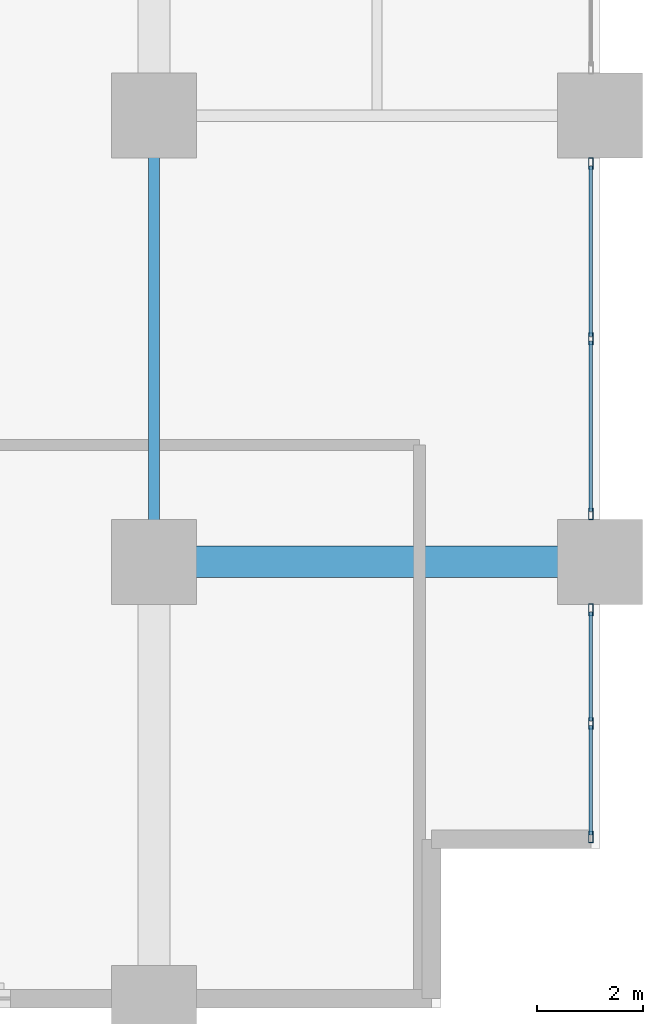
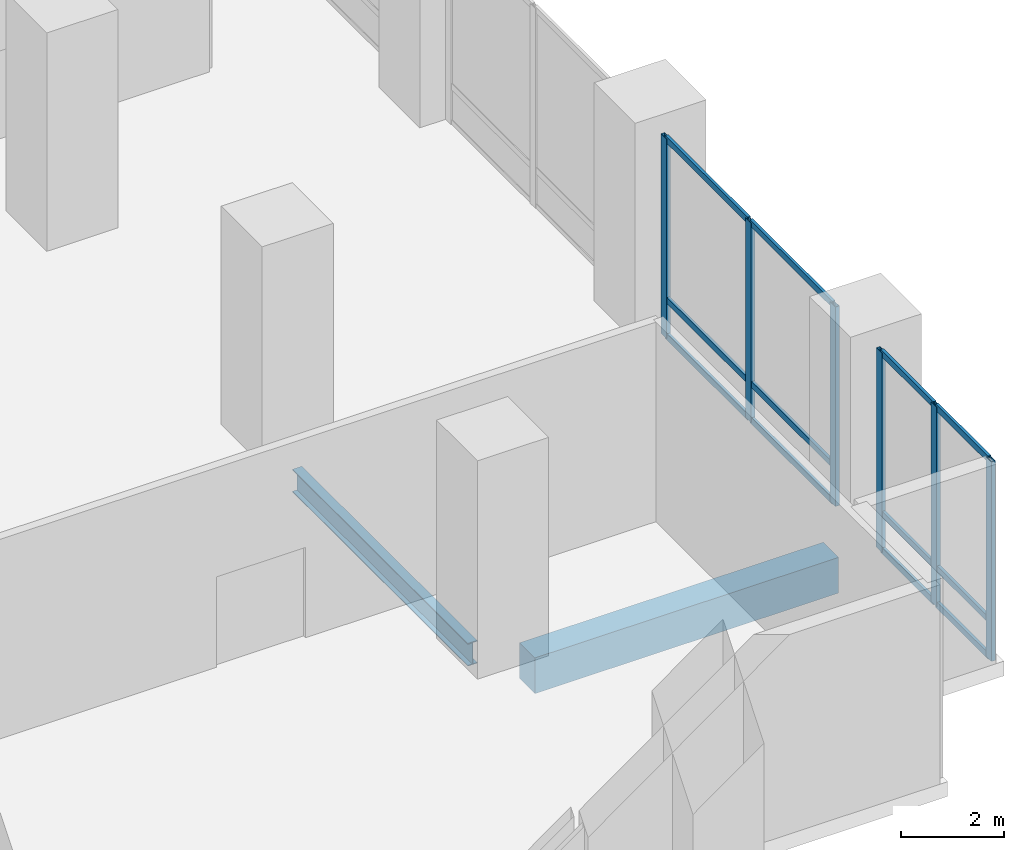
# One storey, part 3 of 23: 18 members, 2 beams, 2 elements without a shape of their own.
"""IFC4 building model written with IfcOpenShell, lengths in metres."""

from ifc_helpers import new_model, si_unit, direction, frame, origin, origin_2d, place, context, subcontext, project, spatial, rectangle, hollow_rectangle, i_section, extrude, material, layer, layer_set, material_profile, profile_set, type_object, element, aggregate, save


model = new_model("IFC4")

# Units and contexts
model_context = context("Model", 3, precision=1e-05, world=origin(), true_north=direction((0.0, 1.0)))
body_context = subcontext(model_context, "Body", "Model", "MODEL_VIEW")
ifc_project = project(units=[si_unit("LENGTHUNIT", "METRE"), si_unit("AREAUNIT", "SQUARE_METRE"), si_unit("VOLUMEUNIT", "CUBIC_METRE"), si_unit("PLANEANGLEUNIT", "RADIAN"), si_unit("MASSUNIT", "GRAM", prefix="KILO")], contexts=[model_context])

# Site, building, storey
site_placement = place(None, origin())
site = spatial("IfcSite", under=ifc_project, at=site_placement, CompositionType="ELEMENT")
building_placement = place(site_placement, origin())
building = spatial("IfcBuilding", under=site, at=building_placement, Name="Koriwani Terraces Tower", CompositionType="ELEMENT")
storey_placement = place(building_placement, frame((0.0, 0.0, 20.800048828125)))
storey = spatial("IfcBuildingStorey", under=building, at=storey_placement, Name="L04", CompositionType="ELEMENT", Elevation=20.800048828125)

# Beam
ifc_material_1 = material(Name="Concrete C60/75", Category="concrete")
ifc_material_profile_1 = material_profile(ifc_material_1, rectangle(XDim=0.60009765625, YDim=0.85009765625, at=origin_2d()), Name="Concrete C60/75", Category="LoadBearing")
ifc_profile_set_1 = profile_set([ifc_material_profile_1], Name="Concrete C60/75")
beam_type_1 = type_object("IfcBeamType", Name="BEAM_RC_GRID_600X850", PredefinedType="BEAM", material=ifc_profile_set_1)
beam_1_placement = place(storey_placement, frame((84.780029296875, 8.39990234375, -0.775146484375), z_axis=(1.0, 0.0, 0.0), x_axis=(0.0, 1.0, 0.0)))
element("IfcBeam", 1, at=beam_1_placement, inside=storey, type_object=beam_type_1, Name="L04 Grid Beam B (84.0-92.4m)", PredefinedType="BEAM", context=body_context, shape_type="SweptSolid", body=[
    extrude(rectangle(XDim=0.60009765625, YDim=0.85009765625, at=origin_2d()), origin(), (0.0, 0.0, 1.0), 6.840087890625),
])

# Curtain wall, members
ifc_material_2 = material(Name="Anodised Bronze Aluminium", Category="aluminium")
ifc_layer = layer(ifc_material_2, 0.199951171875, Name="Anodised Bronze Aluminium")
ifc_layer_set = layer_set([ifc_layer], Name="Anodised Bronze Aluminium")
curtain_wall_type = type_object("IfcCurtainWallType", Name="CW_PODIUM_GALLERIA", PredefinedType="NOTDEFINED", material=ifc_layer_set)
curtain_wall_1_placement = place(storey_placement, origin())
curtain_wall_1 = element("IfcCurtainWall", 2, at=curtain_wall_1_placement, inside=storey, type_object=curtain_wall_type, Name="L04 Unitised Curtain Wall (E_TIP) Bay 4", PredefinedType="NOTDEFINED")
ifc_material_profile_2 = material_profile(ifc_material_2, hollow_rectangle(XDim=0.0849609375, YDim=0.219970703125, WallThickness=0.008056640625, at=origin_2d()), Name="Anodised Bronze Aluminium", Category="LoadBearing")
ifc_profile_set_2 = profile_set([ifc_material_profile_2], Name="Anodised Bronze Aluminium")
member_type_1 = type_object("IfcMemberType", Name="CW_MULLION_220X85", PredefinedType="MULLION", material=ifc_profile_set_2)
member_1_placement = place(storey_placement, frame((92.22509765625, 15.8974609375, 0.0), z_axis=(0.0, 0.0, 1.0), x_axis=(1.0, 0.0, 0.0)))
member_1 = element("IfcMember", 3, at=member_1_placement, type_object=member_type_1, Name="CW-POD mullion 1", PredefinedType="MULLION", context=body_context, shape_type="SweptSolid", body=[
    extrude(hollow_rectangle(XDim=0.0849609375, YDim=0.219970703125, WallThickness=0.008056640625, at=origin_2d()), origin(), (0.0, 0.0, 1.0), 4.75),
])
member_2_placement = place(storey_placement, frame((92.22509765625, 12.60009765625, 0.0), z_axis=(0.0, 0.0, 1.0), x_axis=(1.0, 0.0, 0.0)))
member_2 = element("IfcMember", 4, at=member_2_placement, type_object=member_type_1, Name="CW-POD mullion 2", PredefinedType="MULLION", context=body_context, shape_type="SweptSolid", body=[
    extrude(hollow_rectangle(XDim=0.0849609375, YDim=0.219970703125, WallThickness=0.008056640625, at=origin_2d()), origin(), (0.0, 0.0, 1.0), 4.75),
])
member_3_placement = place(storey_placement, frame((92.22509765625, 9.302490234375, 0.0), z_axis=(0.0, 0.0, 1.0), x_axis=(1.0, 0.0, 0.0)))
member_3 = element("IfcMember", 5, at=member_3_placement, type_object=member_type_1, Name="CW-POD mullion 3", PredefinedType="MULLION", context=body_context, shape_type="SweptSolid", body=[
    extrude(hollow_rectangle(XDim=0.0849609375, YDim=0.219970703125, WallThickness=0.008056640625, at=origin_2d()), origin(), (0.0, 0.0, 1.0), 4.75),
])

curtain_wall_2_placement = place(storey_placement, origin())
curtain_wall_2 = element("IfcCurtainWall", 6, at=curtain_wall_2_placement, inside=storey, type_object=curtain_wall_type, Name="L04 Unitised Curtain Wall (E_TIP) Bay 5", PredefinedType="NOTDEFINED")
member_4_placement = place(storey_placement, frame((92.22509765625, 7.49755859375, 0.0), z_axis=(0.0, 0.0, 1.0), x_axis=(1.0, 0.0, 0.0)))
member_4 = element("IfcMember", 7, at=member_4_placement, type_object=member_type_1, Name="CW-POD mullion 1", PredefinedType="MULLION", context=body_context, shape_type="SweptSolid", body=[
    extrude(hollow_rectangle(XDim=0.0849609375, YDim=0.219970703125, WallThickness=0.008056640625, at=origin_2d()), origin(), (0.0, 0.0, 1.0), 4.75),
])
member_5_placement = place(storey_placement, frame((92.22509765625, 5.357421875, 0.0), z_axis=(0.0, 0.0, 1.0), x_axis=(1.0, 0.0, 0.0)))
member_5 = element("IfcMember", 8, at=member_5_placement, type_object=member_type_1, Name="CW-POD mullion 2", PredefinedType="MULLION", context=body_context, shape_type="SweptSolid", body=[
    extrude(hollow_rectangle(XDim=0.0849609375, YDim=0.219970703125, WallThickness=0.008056640625, at=origin_2d()), origin(), (0.0, 0.0, 1.0), 4.75),
])
member_6_placement = place(storey_placement, frame((92.22509765625, 3.217529296875, 0.0), z_axis=(0.0, 0.0, 1.0), x_axis=(1.0, 0.0, 0.0)))
member_6 = element("IfcMember", 9, at=member_6_placement, type_object=member_type_1, Name="CW-POD mullion 3", PredefinedType="MULLION", context=body_context, shape_type="SweptSolid", body=[
    extrude(hollow_rectangle(XDim=0.0849609375, YDim=0.219970703125, WallThickness=0.008056640625, at=origin_2d()), origin(), (0.0, 0.0, 1.0), 4.75),
])

# Member
ifc_material_profile_3 = material_profile(ifc_material_2, hollow_rectangle(XDim=0.06494140625, YDim=0.14990234375, WallThickness=0.0048828125, at=origin_2d()), Name="Anodised Bronze Aluminium", Category="LoadBearing")
ifc_profile_set_3 = profile_set([ifc_material_profile_3], Name="Anodised Bronze Aluminium")
member_type_2 = type_object("IfcMemberType", Name="CW_TRANSOM_150X65", PredefinedType="USERDEFINED", material=ifc_profile_set_3)
member_7_placement = place(storey_placement, frame((92.22509765625, 15.85498046875, 0.032470703125), z_axis=(0.0, -1.0, 0.0), x_axis=(1.0, 0.0, 0.0)))
member_7 = element("IfcMember", 10, at=member_7_placement, type_object=member_type_2, Name="CW-POD transom 1.1", ObjectType="TRANSOM", PredefinedType="USERDEFINED", context=body_context, shape_type="SweptSolid", body=[
    extrude(hollow_rectangle(XDim=0.06494140625, YDim=0.14990234375, WallThickness=0.0048828125, at=origin_2d()), origin(), (0.0, 0.0, 1.0), 3.21240234375),
])

member_8_placement = place(storey_placement, frame((92.22509765625, 15.85498046875, 0.89990234375), z_axis=(0.0, -1.0, 0.0), x_axis=(1.0, 0.0, 0.0)))
member_8 = element("IfcMember", 11, at=member_8_placement, type_object=member_type_2, Name="CW-POD transom 1.2", ObjectType="TRANSOM", PredefinedType="USERDEFINED", context=body_context, shape_type="SweptSolid", body=[
    extrude(hollow_rectangle(XDim=0.06494140625, YDim=0.14990234375, WallThickness=0.0048828125, at=origin_2d()), origin(), (0.0, 0.0, 1.0), 3.21240234375),
])

member_9_placement = place(storey_placement, frame((92.22509765625, 15.85498046875, 4.717529296875), z_axis=(0.0, -1.0, 0.0), x_axis=(1.0, 0.0, 0.0)))
member_9 = element("IfcMember", 12, at=member_9_placement, type_object=member_type_2, Name="CW-POD transom 1.3", ObjectType="TRANSOM", PredefinedType="USERDEFINED", context=body_context, shape_type="SweptSolid", body=[
    extrude(hollow_rectangle(XDim=0.06494140625, YDim=0.14990234375, WallThickness=0.0048828125, at=origin_2d()), origin(), (0.0, 0.0, 1.0), 3.21240234375),
])

member_10_placement = place(storey_placement, frame((92.22509765625, 12.5576171875, 0.032470703125), z_axis=(0.0, -1.0, 0.0), x_axis=(1.0, 0.0, 0.0)))
member_10 = element("IfcMember", 13, at=member_10_placement, type_object=member_type_2, Name="CW-POD transom 2.1", ObjectType="TRANSOM", PredefinedType="USERDEFINED", context=body_context, shape_type="SweptSolid", body=[
    extrude(hollow_rectangle(XDim=0.06494140625, YDim=0.14990234375, WallThickness=0.0048828125, at=origin_2d()), origin(), (0.0, 0.0, 1.0), 3.212646484375),
])

member_11_placement = place(storey_placement, frame((92.22509765625, 12.5576171875, 0.89990234375), z_axis=(0.0, -1.0, 0.0), x_axis=(1.0, 0.0, 0.0)))
member_11 = element("IfcMember", 14, at=member_11_placement, type_object=member_type_2, Name="CW-POD transom 2.2", ObjectType="TRANSOM", PredefinedType="USERDEFINED", context=body_context, shape_type="SweptSolid", body=[
    extrude(hollow_rectangle(XDim=0.06494140625, YDim=0.14990234375, WallThickness=0.0048828125, at=origin_2d()), origin(), (0.0, 0.0, 1.0), 3.212646484375),
])

member_12_placement = place(storey_placement, frame((92.22509765625, 12.5576171875, 4.717529296875), z_axis=(0.0, -1.0, 0.0), x_axis=(1.0, 0.0, 0.0)))
member_12 = element("IfcMember", 15, at=member_12_placement, type_object=member_type_2, Name="CW-POD transom 2.3", ObjectType="TRANSOM", PredefinedType="USERDEFINED", context=body_context, shape_type="SweptSolid", body=[
    extrude(hollow_rectangle(XDim=0.06494140625, YDim=0.14990234375, WallThickness=0.0048828125, at=origin_2d()), origin(), (0.0, 0.0, 1.0), 3.212646484375),
])

aggregate(curtain_wall_1, [member_1, member_2, member_3, member_7, member_8, member_9, member_10, member_11, member_12])

member_13_placement = place(storey_placement, frame((92.22509765625, 7.455078125, 0.032470703125), z_axis=(0.0, -1.0, 0.0), x_axis=(1.0, 0.0, 0.0)))
member_13 = element("IfcMember", 16, at=member_13_placement, type_object=member_type_2, Name="CW-POD transom 1.1", ObjectType="TRANSOM", PredefinedType="USERDEFINED", context=body_context, shape_type="SweptSolid", body=[
    extrude(hollow_rectangle(XDim=0.06494140625, YDim=0.14990234375, WallThickness=0.0048828125, at=origin_2d()), origin(), (0.0, 0.0, 1.0), 2.05517578125),
])

member_14_placement = place(storey_placement, frame((92.22509765625, 7.455078125, 0.89990234375), z_axis=(0.0, -1.0, 0.0), x_axis=(1.0, 0.0, 0.0)))
member_14 = element("IfcMember", 17, at=member_14_placement, type_object=member_type_2, Name="CW-POD transom 1.2", ObjectType="TRANSOM", PredefinedType="USERDEFINED", context=body_context, shape_type="SweptSolid", body=[
    extrude(hollow_rectangle(XDim=0.06494140625, YDim=0.14990234375, WallThickness=0.0048828125, at=origin_2d()), origin(), (0.0, 0.0, 1.0), 2.05517578125),
])

member_15_placement = place(storey_placement, frame((92.22509765625, 7.455078125, 4.717529296875), z_axis=(0.0, -1.0, 0.0), x_axis=(1.0, 0.0, 0.0)))
member_15 = element("IfcMember", 18, at=member_15_placement, type_object=member_type_2, Name="CW-POD transom 1.3", ObjectType="TRANSOM", PredefinedType="USERDEFINED", context=body_context, shape_type="SweptSolid", body=[
    extrude(hollow_rectangle(XDim=0.06494140625, YDim=0.14990234375, WallThickness=0.0048828125, at=origin_2d()), origin(), (0.0, 0.0, 1.0), 2.05517578125),
])

member_16_placement = place(storey_placement, frame((92.22509765625, 5.31494140625, 0.032470703125), z_axis=(0.0, -1.0, 0.0), x_axis=(1.0, 0.0, 0.0)))
member_16 = element("IfcMember", 19, at=member_16_placement, type_object=member_type_2, Name="CW-POD transom 2.1", ObjectType="TRANSOM", PredefinedType="USERDEFINED", context=body_context, shape_type="SweptSolid", body=[
    extrude(hollow_rectangle(XDim=0.06494140625, YDim=0.14990234375, WallThickness=0.0048828125, at=origin_2d()), origin(), (0.0, 0.0, 1.0), 2.054931640625),
])

member_17_placement = place(storey_placement, frame((92.22509765625, 5.31494140625, 0.89990234375), z_axis=(0.0, -1.0, 0.0), x_axis=(1.0, 0.0, 0.0)))
member_17 = element("IfcMember", 20, at=member_17_placement, type_object=member_type_2, Name="CW-POD transom 2.2", ObjectType="TRANSOM", PredefinedType="USERDEFINED", context=body_context, shape_type="SweptSolid", body=[
    extrude(hollow_rectangle(XDim=0.06494140625, YDim=0.14990234375, WallThickness=0.0048828125, at=origin_2d()), origin(), (0.0, 0.0, 1.0), 2.054931640625),
])

member_18_placement = place(storey_placement, frame((92.22509765625, 5.31494140625, 4.717529296875), z_axis=(0.0, -1.0, 0.0), x_axis=(1.0, 0.0, 0.0)))
member_18 = element("IfcMember", 21, at=member_18_placement, type_object=member_type_2, Name="CW-POD transom 2.3", ObjectType="TRANSOM", PredefinedType="USERDEFINED", context=body_context, shape_type="SweptSolid", body=[
    extrude(hollow_rectangle(XDim=0.06494140625, YDim=0.14990234375, WallThickness=0.0048828125, at=origin_2d()), origin(), (0.0, 0.0, 1.0), 2.054931640625),
])

aggregate(curtain_wall_2, [member_4, member_5, member_6, member_13, member_14, member_15, member_16, member_17, member_18])

# Beam
ifc_material_3 = material(Name="Steel ASTM A572 Grade 50", Category="steel")
ifc_material_profile_4 = material_profile(ifc_material_3, i_section(OverallWidth=0.2119140625, OverallDepth=0.54296875, WebThickness=0.0126953125, FlangeThickness=0.021240234375, at=origin_2d()), Name="Steel ASTM A572 Grade 50", Category="LoadBearing")
ifc_profile_set_4 = profile_set([ifc_material_profile_4], Name="Steel ASTM A572 Grade 50")
beam_type_2 = type_object("IfcBeamType", Name="STEEL_BEAM_W530X150", PredefinedType="BEAM", material=ifc_profile_set_4)
beam_2_placement = place(storey_placement, frame((84.0, 9.179931640625, -0.62158203125), z_axis=(0.0, 1.0, 0.0), x_axis=(-1.0, 0.0, 0.0)))
element("IfcBeam", 22, at=beam_2_placement, inside=storey, type_object=beam_type_2, Name="L04 Grid Beam 11 (8.4-16.8m)", PredefinedType="BEAM", context=body_context, shape_type="SweptSolid", body=[
    extrude(i_section(OverallWidth=0.2119140625, OverallDepth=0.54296875, WebThickness=0.0126953125, FlangeThickness=0.021240234375, at=origin_2d()), origin(), (0.0, 0.0, 1.0), 6.840087890625),
])

save(model, "model.ifc")
